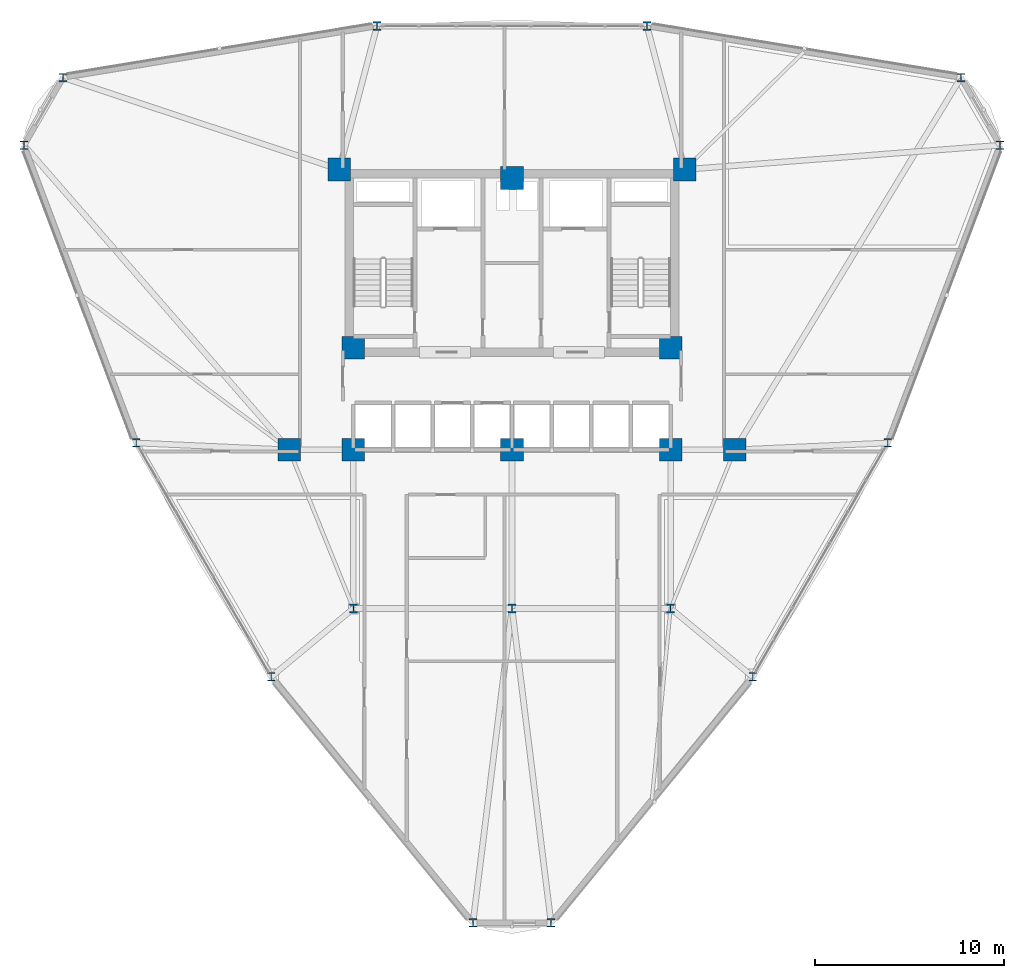
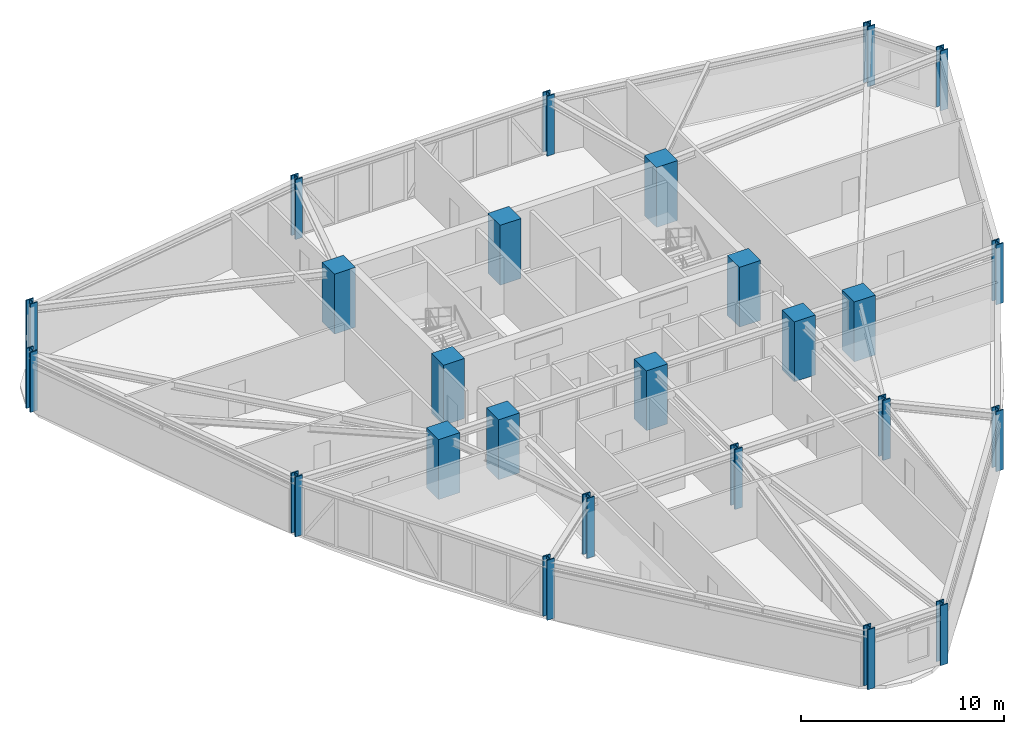
# One storey, part 1 of 17: 25 columns.
"""IFC4 building model written with IfcOpenShell, lengths in metres."""

from ifc_helpers import new_model, si_unit, derived_unit, direction, frame, origin, origin_2d, place, context, subcontext, project, spatial, rectangle, i_section, extrude, source, transform, mapped, material, material_profile, profile_set, type_object, element, save


model = new_model("IFC4")

# Units and contexts
model_context = context("Model", 3, precision=1e-05, world=origin(), true_north=direction((0.0, 1.0)))
body_context = subcontext(model_context, "Body", "Model", "MODEL_VIEW")
ifc_project = project(units=[si_unit("LENGTHUNIT", "METRE"), si_unit("AREAUNIT", "SQUARE_METRE"), si_unit("VOLUMEUNIT", "CUBIC_METRE"), si_unit("PLANEANGLEUNIT", "RADIAN"), si_unit("MASSUNIT", "GRAM", prefix="KILO"), derived_unit("THERMALTRANSMITTANCEUNIT", [(si_unit("POWERUNIT", "WATT"), 1), (si_unit("LENGTHUNIT", "METRE"), -2), (si_unit("THERMODYNAMICTEMPERATUREUNIT", "KELVIN"), -1)])], contexts=[model_context])

# Site, building, storey
site_placement = place(None, origin())
site = spatial("IfcSite", under=ifc_project, at=site_placement, CompositionType="ELEMENT")
building_placement = place(site_placement, origin())
building = spatial("IfcBuilding", under=site, at=building_placement, Name="Korsvarv Bourse and Concert Hall", CompositionType="ELEMENT")
storey_placement = place(building_placement, frame((0.0, 0.0, 102.60009765625)))
storey = spatial("IfcBuildingStorey", under=building, at=storey_placement, Name="L25", CompositionType="ELEMENT", Elevation=102.60009765625)

# Columns
ifc_material_1 = material(Name="Concrete C60/75", Category="concrete")
ifc_material_profile_1 = material_profile(ifc_material_1, rectangle(XDim=1.199951171875, YDim=1.199951171875, at=origin_2d()), Name="RC 1200x1200")
ifc_profile_set_1 = profile_set([ifc_material_profile_1], Name="Concrete C60/75")
column_type_1 = type_object("IfcColumnType", Name="COL-RC1200", PredefinedType="COLUMN", material=ifc_profile_set_1)
shared_shape_1 = source(origin(), body_context, "Body", "SweptSolid", [
    extrude(rectangle(XDim=1.199951171875, YDim=1.199951171875, at=origin_2d()), origin(), (0.0, 0.0, 1.0), 3.599853515625),
])
for number, where, z_axis, x_axis, name in (
    (1, (26.85009765625, 47.25, 0.0), (0.0, 0.0, 1.0), (1.0, 0.0, 0.0), "L25 column C-02"),
    (2, (45.14990234375, 47.25, 0.0), (0.0, 0.0, 1.0), (1.0, 0.0, 0.0), "L25 column C-02"),
    (3, (27.60009765625, 37.800048828125, 0.0), (0.0, 0.0, 1.0), (1.0, 0.0, 0.0), "L25 column C-02"),
    (4, (44.39990234375, 37.800048828125, 0.0), (0.0, 0.0, 1.0), (1.0, 0.0, 0.0), "L25 column C-02"),
    (5, (27.60009765625, 32.39990234375, 0.0), (0.0, 0.0, 1.0), (1.0, 0.0, 0.0), "L25 column C-02"),
    (6, (44.39990234375, 32.39990234375, 0.0), (0.0, 0.0, 1.0), (1.0, 0.0, 0.0), "L25 column C-02"),
    (7, (36.0, 46.800048828125, 0.0), (0.0, 0.0, 1.0), (1.0, 0.0, 0.0), "L25 column C-02"),
    (8, (36.0, 32.39990234375, 0.0), (0.0, 0.0, 1.0), (1.0, 0.0, 0.0), "L25 column C-02"),
    (9, (24.199951171875, 32.39990234375, 0.0), (0.0, 0.0, 1.0), (1.0, 0.0, 0.0), "L25 column C-02"),
    (10, (47.800048828125, 32.39990234375, 0.0), (0.0, 0.0, 1.0), (1.0, 0.0, 0.0), "L25 column C-02"),
):
    element("IfcColumn", number, at=place(storey_placement, frame(where, z_axis=z_axis, x_axis=x_axis)), inside=storey, type_object=column_type_1, Name=name, PredefinedType="COLUMN", context=body_context, shape_type="MappedRepresentation", body=[
        mapped(shared_shape_1, transform((0.0, 0.0, 0.0), scale=1.0)),
    ])
ifc_material_2 = material(Name="Steel S460", Category="steel")
ifc_material_profile_2 = material_profile(ifc_material_2, i_section(OverallWidth=0.424072265625, OverallDepth=0.47412109375, WebThickness=0.044921875, FlangeThickness=0.072021484375, FilletRadius=0.014892578125, at=origin_2d()), Name="HD 400x634")
ifc_profile_set_2 = profile_set([ifc_material_profile_2], Name="Steel S460")
column_type_2 = type_object("IfcColumnType", Name="COL-HD634", PredefinedType="COLUMN", material=ifc_profile_set_2)
shared_shape_2 = source(origin(), body_context, "Body", "SweptSolid", [
    extrude(i_section(OverallWidth=0.424072265625, OverallDepth=0.47412109375, WebThickness=0.044921875, FlangeThickness=0.072021484375, FilletRadius=0.014892578125, at=origin_2d()), origin(), (0.0, 0.0, 1.0), 3.599853515625),
])
for number, where, z_axis, x_axis, name in (
    (11, (27.60009765625, 24.0, 0.0), (0.0, 0.0, 1.0), (1.0, 0.0, 0.0), "L25 column C-07"),
    (12, (44.39990234375, 24.0, 0.0), (0.0, 0.0, 1.0), (1.0, 0.0, 0.0), "L25 column C-07"),
    (13, (36.0, 24.0, 0.0), (0.0, 0.0, 1.0), (1.0, 0.0, 0.0), "L25 column C-07"),
):
    element("IfcColumn", number, at=place(storey_placement, frame(where, z_axis=z_axis, x_axis=x_axis)), inside=storey, type_object=column_type_2, Name=name, PredefinedType="COLUMN", context=body_context, shape_type="MappedRepresentation", body=[
        mapped(shared_shape_2, transform((0.0, 0.0, 0.0), scale=1.0)),
    ])
ifc_material_profile_3 = material_profile(ifc_material_2, i_section(OverallWidth=0.41796875, OverallDepth=0.455078125, WebThickness=0.0390625, FlangeThickness=0.06298828125, FilletRadius=0.014892578125, at=origin_2d()), Name="HD 400x551")
ifc_profile_set_3 = profile_set([ifc_material_profile_3], Name="Steel S460")
column_type_3 = type_object("IfcColumnType", Name="COL-HD551", PredefinedType="COLUMN", material=ifc_profile_set_3)
shared_shape_3 = source(origin(), body_context, "Body", "SweptSolid", [
    extrude(i_section(OverallWidth=0.41796875, OverallDepth=0.455078125, WebThickness=0.0390625, FlangeThickness=0.06298828125, FilletRadius=0.014892578125, at=origin_2d()), origin(), (0.0, 0.0, 1.0), 3.599853515625),
])
for number, where, z_axis, x_axis, name in (
    (14, (61.851318359375, 48.536865234375, 0.0), (0.0, 0.0, 1.0), (1.0, 0.0, 0.0), "L25 column C-08"),
    (15, (59.78271484375, 52.119384765625, 0.0), (0.0, 0.0, 1.0), (1.0, 0.0, 0.0), "L25 column C-08"),
    (16, (43.1494140625, 54.8515625, 0.0), (0.0, 0.0, 1.0), (1.0, 0.0, 0.0), "L25 column C-08"),
    (17, (28.8505859375, 54.8515625, 0.0), (0.0, 0.0, 1.0), (1.0, 0.0, 0.0), "L25 column C-08"),
    (18, (12.21728515625, 52.119384765625, 0.0), (0.0, 0.0, 1.0), (1.0, 0.0, 0.0), "L25 column C-08"),
    (19, (10.148681640625, 48.536865234375, 0.0), (0.0, 0.0, 1.0), (1.0, 0.0, 0.0), "L25 column C-08"),
    (20, (16.099365234375, 32.765869140625, 0.0), (0.0, 0.0, 1.0), (1.0, 0.0, 0.0), "L25 column C-08"),
    (21, (23.248779296875, 20.3828125, 0.0), (0.0, 0.0, 1.0), (1.0, 0.0, 0.0), "L25 column C-08"),
    (22, (33.931640625, 7.34375, 0.0), (0.0, 0.0, 1.0), (1.0, 0.0, 0.0), "L25 column C-08"),
    (23, (38.068359375, 7.34375, 0.0), (0.0, 0.0, 1.0), (1.0, 0.0, 0.0), "L25 column C-08"),
    (24, (48.751220703125, 20.3828125, 0.0), (0.0, 0.0, 1.0), (1.0, 0.0, 0.0), "L25 column C-08"),
    (25, (55.900634765625, 32.765869140625, 0.0), (0.0, 0.0, 1.0), (1.0, 0.0, 0.0), "L25 column C-08"),
):
    element("IfcColumn", number, at=place(storey_placement, frame(where, z_axis=z_axis, x_axis=x_axis)), inside=storey, type_object=column_type_3, Name=name, PredefinedType="COLUMN", context=body_context, shape_type="MappedRepresentation", body=[
        mapped(shared_shape_3, transform((0.0, 0.0, 0.0), scale=1.0)),
    ])

save(model, "model.ifc")
